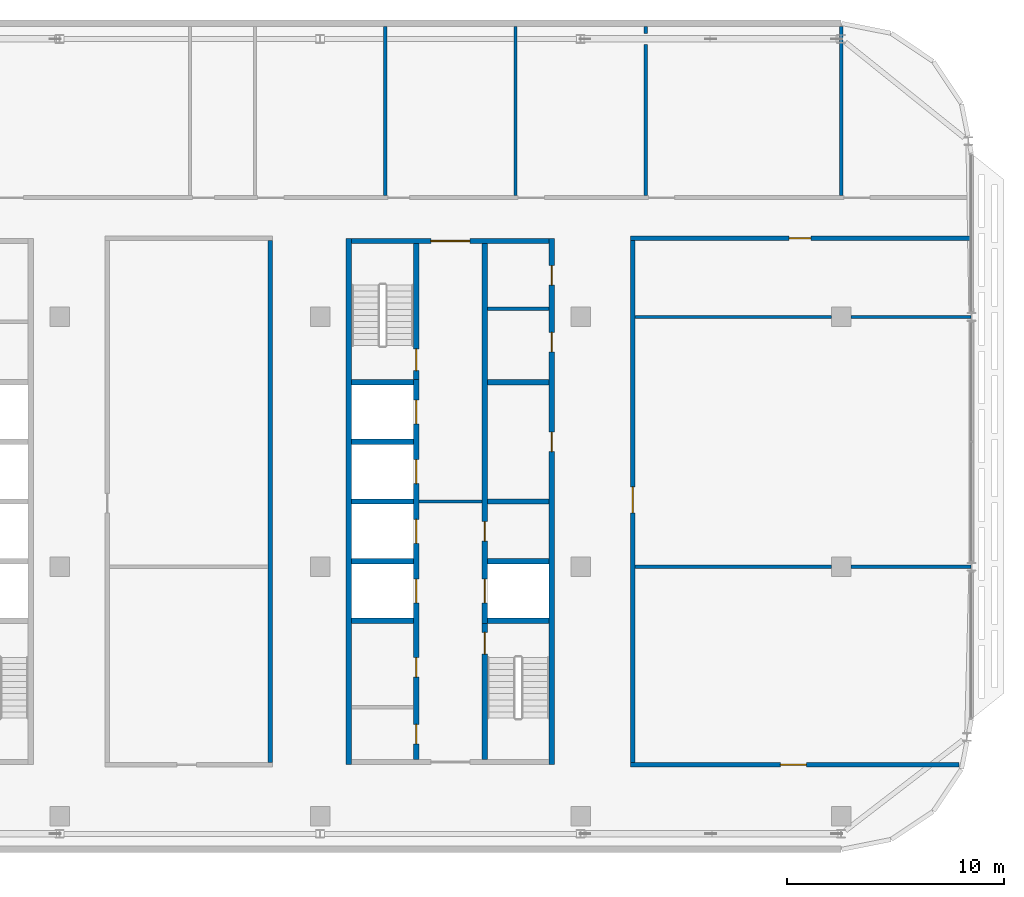
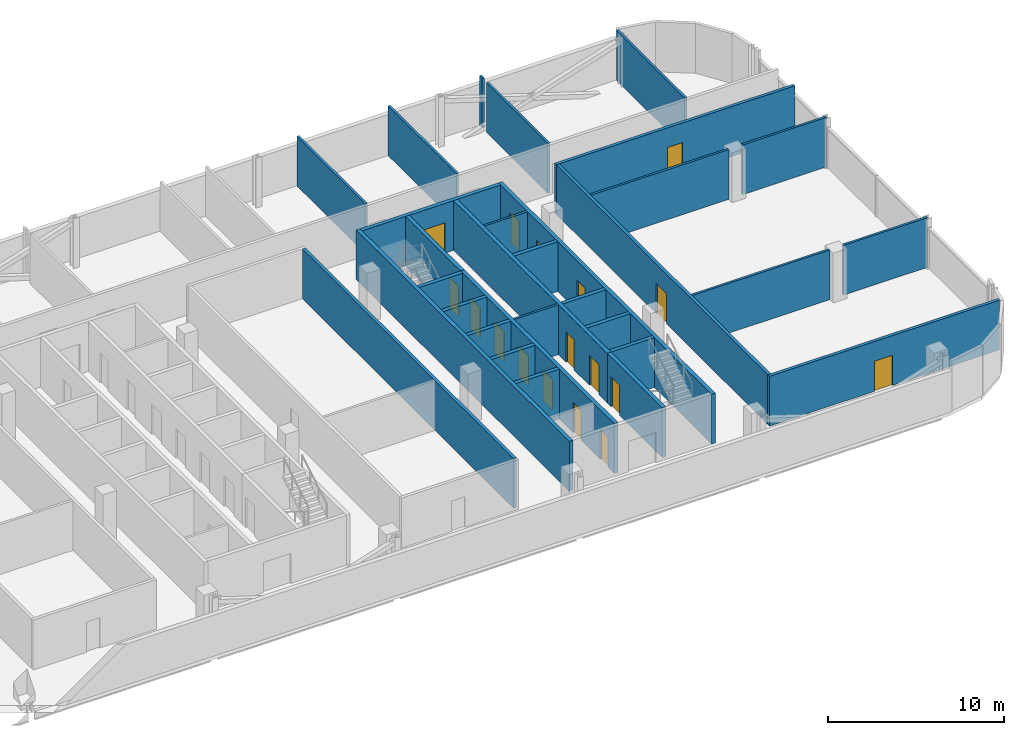
# One storey, part 19 of 29: 31 walls, 17 doors, 17 openings.
"""IFC4 building model written with IfcOpenShell, lengths in metres."""

from ifc_helpers import new_model, si_unit, direction, frame, frame_2d, origin, place, context, subcontext, project, spatial, rectangle, extrude, material, layer, layer_set, type_object, element, fill, save


model = new_model("IFC4")

# Units and contexts
model_context = context("Model", 3, precision=1e-05, world=origin(), true_north=direction((0.0, 1.0)))
body_context = subcontext(model_context, "Body", "Model", "MODEL_VIEW")
ifc_project = project(units=[si_unit("LENGTHUNIT", "METRE"), si_unit("AREAUNIT", "SQUARE_METRE"), si_unit("VOLUMEUNIT", "CUBIC_METRE"), si_unit("PLANEANGLEUNIT", "RADIAN"), si_unit("MASSUNIT", "GRAM", prefix="KILO")], contexts=[model_context])

# Site, building, storey
site_placement = place(None, origin())
site = spatial("IfcSite", under=ifc_project, at=site_placement, CompositionType="ELEMENT")
building_placement = place(site_placement, origin())
building = spatial("IfcBuilding", under=site, at=building_placement, Name="Mahtab Terrace Research Tower", CompositionType="ELEMENT")
storey_placement = place(building_placement, frame((0.0, 0.0, 274.699951171875)))
storey = spatial("IfcBuildingStorey", under=building, at=storey_placement, Name="L67", CompositionType="ELEMENT", Elevation=274.699951171875)

# Walls
ifc_material_1 = material(Name="Gypsum board partition")
ifc_layer_1 = layer(ifc_material_1, 0.14990234375)
ifc_layer_set_1 = layer_set([ifc_layer_1], Name="Core partition 150")
wall_type_1 = type_object("IfcWallType", Name="Core partition 150", PredefinedType="PARTITIONING", material=ifc_layer_set_1)
wall_1_placement = place(storey_placement, frame((22.550048828125, 3.0, 0.0), z_axis=(0.0, 0.0, 1.0), x_axis=(1.0, 0.0, 0.0)))
element("IfcWall", 1, at=wall_1_placement, inside=storey, type_object=wall_type_1, Name="Core wall C ffl", PredefinedType="PARTITIONING", context=body_context, shape_type="SweptSolid", body=[
    extrude(rectangle(XDim=2.89990234375, YDim=0.14990234375, at=frame_2d((1.449951171875, 0.0))), origin(), (0.0, 0.0, 1.0), 3.4599609375),
])
wall_2_placement = place(storey_placement, frame((25.699951171875, 11.875, 0.0), z_axis=(0.0, 0.0, 1.0), x_axis=(1.0, 0.0, 0.0)))
element("IfcWall", 2, at=wall_2_placement, inside=storey, type_object=wall_type_1, Name="Core wall C pEN888", PredefinedType="PARTITIONING", context=body_context, shape_type="SweptSolid", body=[
    extrude(rectangle(XDim=2.85009765625, YDim=0.14990234375, at=frame_2d((1.425048828125, 0.0))), origin(), (0.0, 0.0, 1.0), 3.4599609375),
])
ifc_material_2 = material(Name="Concrete C70/85", Category="concrete")
ifc_layer_2 = layer(ifc_material_2, 0.25)
ifc_layer_set_2 = layer_set([ifc_layer_2], Name="Core wall 250")
wall_type_2 = type_object("IfcWallType", Name="Core wall 250", PredefinedType="SOLIDWALL", material=ifc_layer_set_2)
wall_3_placement = place(storey_placement, frame((19.324951171875, 15.125, 0.0), z_axis=(0.0, 0.0, 1.0), x_axis=(0.0, -1.0, 0.0)))
element("IfcWall", 3, at=wall_3_placement, inside=storey, type_object=wall_type_2, Name="Core wall C outerW", PredefinedType="SOLIDWALL", context=body_context, shape_type="SweptSolid", body=[
    extrude(rectangle(XDim=24.25, YDim=0.25, at=frame_2d((12.125, 0.0))), origin(), (0.0, 0.0, 1.0), 3.4599609375),
])

# Wall, openings, doors
wall_4_placement = place(storey_placement, frame((28.675048828125, -9.125, 0.0), z_axis=(0.0, 0.0, 1.0), x_axis=(0.0, 1.0, 0.0)))
wall_4 = element("IfcWall", 4, at=wall_4_placement, inside=storey, type_object=wall_type_2, Name="Core wall C outerE", PredefinedType="SOLIDWALL", context=body_context, shape_type="SweptSolid", body=[
    extrude(rectangle(XDim=24.25, YDim=0.25, at=frame_2d((12.125, 0.0))), origin(), (0.0, 0.0, 1.0), 3.4599609375),
])
opening_1_placement = place(wall_4_placement, frame((14.425048828125, 0.0, 0.0)))
opening_1 = element("IfcOpeningElement", 5, at=opening_1_placement, cuts=wall_4, Name="Opening C-R2", PredefinedType="OPENING", context=body_context, shape_type="SweptSolid", body=[
    extrude(rectangle(XDim=0.89990234375, YDim=2.10009765625, at=frame_2d((0.449951171875, 1.050048828125))), frame((0.0, 0.135009765625, 0.0), z_axis=(0.0, -1.0, 0.0), x_axis=(1.0, 0.0, 0.0)), (0.0, 0.0, 1.0), 0.27001953125),
])
opening_2_placement = place(wall_4_placement, frame((19.012451171875, 0.0, 0.0)))
opening_2 = element("IfcOpeningElement", 6, at=opening_2_placement, cuts=wall_4, Name="Opening C-R5", PredefinedType="OPENING", context=body_context, shape_type="SweptSolid", body=[
    extrude(rectangle(XDim=0.89990234375, YDim=2.10009765625, at=frame_2d((0.449951171875, 1.050048828125))), frame((0.0, 0.135009765625, 0.0), z_axis=(0.0, -1.0, 0.0), x_axis=(1.0, 0.0, 0.0)), (0.0, 0.0, 1.0), 0.27001953125),
])
opening_3_placement = place(wall_4_placement, frame((22.08740234375, 0.0, 0.0)))
opening_3 = element("IfcOpeningElement", 7, at=opening_3_placement, cuts=wall_4, Name="Opening C-R6", PredefinedType="OPENING", context=body_context, shape_type="SweptSolid", body=[
    extrude(rectangle(XDim=0.89990234375, YDim=2.10009765625, at=frame_2d((0.449951171875, 1.050048828125))), frame((0.0, 0.135009765625, 0.0), z_axis=(0.0, -1.0, 0.0), x_axis=(1.0, 0.0, 0.0)), (0.0, 0.0, 1.0), 0.27001953125),
])
ifc_material_3 = material(Name="Steel fire door", Category="steel")
door_type_1 = type_object("IfcDoorType", Name="Room door 900x2100 1 HR", OperationType="NOTDEFINED", PredefinedType="DOOR", material=ifc_material_3)
door_1_placement = place(opening_1_placement, origin())
door_1 = element("IfcDoor", 8, at=door_1_placement, inside=storey, type_object=door_type_1, Name="Plant room door", OperationType="SINGLE_SWING_RIGHT", OverallHeight=2.10009765625, OverallWidth=0.89990234375, PredefinedType="DOOR", context=body_context, shape_type="SweptSolid", body=[
    extrude(rectangle(XDim=0.89990234375, YDim=2.10009765625, at=frame_2d((0.449951171875, 1.050048828125))), frame((0.0, 0.02490234375, 0.0), z_axis=(0.0, -1.0, 0.0), x_axis=(1.0, 0.0, 0.0)), (0.0, 0.0, 1.0), 0.050048828125),
])
fill(opening_1, door_1)
door_2_placement = place(opening_2_placement, origin())
door_2 = element("IfcDoor", 9, at=door_2_placement, inside=storey, type_object=door_type_1, Name="Housekeeping store door", OperationType="SINGLE_SWING_LEFT", OverallHeight=2.10009765625, OverallWidth=0.89990234375, PredefinedType="DOOR", context=body_context, shape_type="SweptSolid", body=[
    extrude(rectangle(XDim=0.89990234375, YDim=2.10009765625, at=frame_2d((0.449951171875, 1.050048828125))), frame((0.0, 0.02490234375, 0.0), z_axis=(0.0, -1.0, 0.0), x_axis=(1.0, 0.0, 0.0)), (0.0, 0.0, 1.0), 0.050048828125),
])
fill(opening_2, door_2)
door_3_placement = place(opening_3_placement, origin())
door_3 = element("IfcDoor", 10, at=door_3_placement, inside=storey, type_object=door_type_1, Name="Electrical riser room door", OperationType="SINGLE_SWING_RIGHT", OverallHeight=2.10009765625, OverallWidth=0.89990234375, PredefinedType="DOOR", context=body_context, shape_type="SweptSolid", body=[
    extrude(rectangle(XDim=0.89990234375, YDim=2.10009765625, at=frame_2d((0.449951171875, 1.050048828125))), frame((0.0, 0.02490234375, 0.0), z_axis=(0.0, -1.0, 0.0), x_axis=(1.0, 0.0, 0.0)), (0.0, 0.0, 1.0), 0.050048828125),
])
fill(opening_3, door_3)

# Wall, opening, door
wall_5_placement = place(storey_placement, frame((19.449951171875, 15.0, 0.0), z_axis=(0.0, 0.0, 1.0), x_axis=(1.0, 0.0, 0.0)))
wall_5 = element("IfcWall", 11, at=wall_5_placement, inside=storey, type_object=wall_type_2, Name="Core wall C endN", PredefinedType="SOLIDWALL", context=body_context, shape_type="SweptSolid", body=[
    extrude(rectangle(XDim=9.10009765625, YDim=0.25, at=frame_2d((4.550048828125, 0.0))), origin(), (0.0, 0.0, 1.0), 3.4599609375),
])
opening_4_placement = place(wall_5_placement, frame((3.64990234375, 0.0, 0.0)))
opening_4 = element("IfcOpeningElement", 12, at=opening_4_placement, cuts=wall_5, Name="Opening C-N1", PredefinedType="OPENING", context=body_context, shape_type="SweptSolid", body=[
    extrude(rectangle(XDim=1.800048828125, YDim=2.10009765625, at=frame_2d((0.89990234375, 1.050048828125))), frame((0.0, 0.135009765625, 0.0), z_axis=(0.0, -1.0, 0.0), x_axis=(1.0, 0.0, 0.0)), (0.0, 0.0, 1.0), 0.27001953125),
])
door_type_2 = type_object("IfcDoorType", Name="Lobby double door 1800x2100 1 HR", OperationType="DOUBLE_DOOR_SINGLE_SWING", PredefinedType="DOOR", material=ifc_material_3)
door_4_placement = place(opening_4_placement, origin())
door_4 = element("IfcDoor", 13, at=door_4_placement, inside=storey, type_object=door_type_2, Name="Core entrance door C N", OperationType="DOUBLE_DOOR_SINGLE_SWING", OverallHeight=2.10009765625, OverallWidth=1.800048828125, PredefinedType="DOOR", context=body_context, shape_type="SweptSolid", body=[
    extrude(rectangle(XDim=1.800048828125, YDim=2.10009765625, at=frame_2d((0.89990234375, 1.050048828125))), frame((0.0, 0.02490234375, 0.0), z_axis=(0.0, -1.0, 0.0), x_axis=(1.0, 0.0, 0.0)), (0.0, 0.0, 1.0), 0.050048828125),
])
fill(opening_4, door_4)

# Wall, openings, doors
wall_6_placement = place(storey_placement, frame((22.425048828125, -8.875, 0.0), z_axis=(0.0, 0.0, 1.0), x_axis=(0.0, 1.0, 0.0)))
wall_6 = element("IfcWall", 14, at=wall_6_placement, inside=storey, type_object=wall_type_2, Name="Core wall C innerWSL", PredefinedType="SOLIDWALL", context=body_context, shape_type="SweptSolid", body=[
    extrude(rectangle(XDim=17.5, YDim=0.25, at=frame_2d((8.75, 0.0))), origin(), (0.0, 0.0, 1.0), 3.4599609375),
])
opening_5_placement = place(wall_6_placement, frame((7.199951171875, 0.0, 0.0)))
opening_5 = element("IfcOpeningElement", 15, at=opening_5_placement, cuts=wall_6, Name="Opening LD17-L67", PredefinedType="OPENING", context=body_context, shape_type="SweptSolid", body=[
    extrude(rectangle(XDim=1.10009765625, YDim=2.10009765625, at=frame_2d((0.550048828125, 1.050048828125))), frame((0.0, 0.135009765625, 0.0), z_axis=(0.0, -1.0, 0.0), x_axis=(1.0, 0.0, 0.0)), (0.0, 0.0, 1.0), 0.27001953125),
])
opening_6_placement = place(wall_6_placement, frame((9.949951171875, 0.0, 0.0)))
opening_6 = element("IfcOpeningElement", 16, at=opening_6_placement, cuts=wall_6, Name="Opening LD18-L67", PredefinedType="OPENING", context=body_context, shape_type="SweptSolid", body=[
    extrude(rectangle(XDim=1.10009765625, YDim=2.10009765625, at=frame_2d((0.550048828125, 1.050048828125))), frame((0.0, 0.135009765625, 0.0), z_axis=(0.0, -1.0, 0.0), x_axis=(1.0, 0.0, 0.0)), (0.0, 0.0, 1.0), 0.27001953125),
])
opening_7_placement = place(wall_6_placement, frame((12.699951171875, 0.0, 0.0)))
opening_7 = element("IfcOpeningElement", 17, at=opening_7_placement, cuts=wall_6, Name="Opening LD19-L67", PredefinedType="OPENING", context=body_context, shape_type="SweptSolid", body=[
    extrude(rectangle(XDim=1.10009765625, YDim=2.10009765625, at=frame_2d((0.550048828125, 1.050048828125))), frame((0.0, 0.135009765625, 0.0), z_axis=(0.0, -1.0, 0.0), x_axis=(1.0, 0.0, 0.0)), (0.0, 0.0, 1.0), 0.27001953125),
])
opening_8_placement = place(wall_6_placement, frame((15.449951171875, 0.0, 0.0)))
opening_8 = element("IfcOpeningElement", 18, at=opening_8_placement, cuts=wall_6, Name="Opening LD20-L67", PredefinedType="OPENING", context=body_context, shape_type="SweptSolid", body=[
    extrude(rectangle(XDim=1.10009765625, YDim=2.10009765625, at=frame_2d((0.550048828125, 1.050048828125))), frame((0.0, 0.135009765625, 0.0), z_axis=(0.0, -1.0, 0.0), x_axis=(1.0, 0.0, 0.0)), (0.0, 0.0, 1.0), 0.27001953125),
])
opening_9_placement = place(wall_6_placement, frame((0.71240234375, 0.0, 0.0)))
opening_9 = element("IfcOpeningElement", 19, at=opening_9_placement, cuts=wall_6, Name="Opening C-R3", PredefinedType="OPENING", context=body_context, shape_type="SweptSolid", body=[
    extrude(rectangle(XDim=0.89990234375, YDim=2.10009765625, at=frame_2d((0.449951171875, 1.050048828125))), frame((0.0, 0.135009765625, 0.0), z_axis=(0.0, -1.0, 0.0), x_axis=(1.0, 0.0, 0.0)), (0.0, 0.0, 1.0), 0.27001953125),
])
opening_10_placement = place(wall_6_placement, frame((3.78759765625, 0.0, 0.0)))
opening_10 = element("IfcOpeningElement", 20, at=opening_10_placement, cuts=wall_6, Name="Opening C-R4", PredefinedType="OPENING", context=body_context, shape_type="SweptSolid", body=[
    extrude(rectangle(XDim=0.89990234375, YDim=2.10009765625, at=frame_2d((0.449951171875, 1.050048828125))), frame((0.0, 0.135009765625, 0.0), z_axis=(0.0, -1.0, 0.0), x_axis=(1.0, 0.0, 0.0)), (0.0, 0.0, 1.0), 0.27001953125),
])
ifc_material_4 = material(Name="Stainless steel AISI 304", Category="steel")
door_type_3 = type_object("IfcDoorType", Name="Landing door 1100x2100", OperationType="DOUBLE_DOOR_SLIDING", PredefinedType="DOOR", material=ifc_material_4)
door_5_placement = place(opening_5_placement, origin())
door_5 = element("IfcDoor", 21, at=door_5_placement, inside=storey, type_object=door_type_3, Name="Landing door SV1 L67", OperationType="DOUBLE_DOOR_SLIDING", OverallHeight=2.10009765625, OverallWidth=1.10009765625, PredefinedType="DOOR", context=body_context, shape_type="SweptSolid", body=[
    extrude(rectangle(XDim=1.10009765625, YDim=2.10009765625, at=frame_2d((0.550048828125, 1.050048828125))), frame((0.0, 0.02490234375, 0.0), z_axis=(0.0, -1.0, 0.0), x_axis=(1.0, 0.0, 0.0)), (0.0, 0.0, 1.0), 0.050048828125),
])
fill(opening_5, door_5)
door_6_placement = place(opening_6_placement, origin())
door_6 = element("IfcDoor", 22, at=door_6_placement, inside=storey, type_object=door_type_3, Name="Landing door SV2 L67", OperationType="DOUBLE_DOOR_SLIDING", OverallHeight=2.10009765625, OverallWidth=1.10009765625, PredefinedType="DOOR", context=body_context, shape_type="SweptSolid", body=[
    extrude(rectangle(XDim=1.10009765625, YDim=2.10009765625, at=frame_2d((0.550048828125, 1.050048828125))), frame((0.0, 0.02490234375, 0.0), z_axis=(0.0, -1.0, 0.0), x_axis=(1.0, 0.0, 0.0)), (0.0, 0.0, 1.0), 0.050048828125),
])
fill(opening_6, door_6)
door_7_placement = place(opening_7_placement, origin())
door_7 = element("IfcDoor", 23, at=door_7_placement, inside=storey, type_object=door_type_3, Name="Landing door FF1 L67", OperationType="DOUBLE_DOOR_SLIDING", OverallHeight=2.10009765625, OverallWidth=1.10009765625, PredefinedType="DOOR", context=body_context, shape_type="SweptSolid", body=[
    extrude(rectangle(XDim=1.10009765625, YDim=2.10009765625, at=frame_2d((0.550048828125, 1.050048828125))), frame((0.0, 0.02490234375, 0.0), z_axis=(0.0, -1.0, 0.0), x_axis=(1.0, 0.0, 0.0)), (0.0, 0.0, 1.0), 0.050048828125),
])
fill(opening_7, door_7)
door_8_placement = place(opening_8_placement, origin())
door_8 = element("IfcDoor", 24, at=door_8_placement, inside=storey, type_object=door_type_3, Name="Landing door FF2 L67", OperationType="DOUBLE_DOOR_SLIDING", OverallHeight=2.10009765625, OverallWidth=1.10009765625, PredefinedType="DOOR", context=body_context, shape_type="SweptSolid", body=[
    extrude(rectangle(XDim=1.10009765625, YDim=2.10009765625, at=frame_2d((0.550048828125, 1.050048828125))), frame((0.0, 0.02490234375, 0.0), z_axis=(0.0, -1.0, 0.0), x_axis=(1.0, 0.0, 0.0)), (0.0, 0.0, 1.0), 0.050048828125),
])
fill(opening_8, door_8)
door_9_placement = place(opening_9_placement, origin())
door_9 = element("IfcDoor", 25, at=door_9_placement, inside=storey, type_object=door_type_1, Name="Accessible WC door", OperationType="SINGLE_SWING_LEFT", OverallHeight=2.10009765625, OverallWidth=0.89990234375, PredefinedType="DOOR", context=body_context, shape_type="SweptSolid", body=[
    extrude(rectangle(XDim=0.89990234375, YDim=2.10009765625, at=frame_2d((0.449951171875, 1.050048828125))), frame((0.0, 0.02490234375, 0.0), z_axis=(0.0, -1.0, 0.0), x_axis=(1.0, 0.0, 0.0)), (0.0, 0.0, 1.0), 0.050048828125),
])
fill(opening_9, door_9)
door_10_placement = place(opening_10_placement, origin())
door_10 = element("IfcDoor", 26, at=door_10_placement, inside=storey, type_object=door_type_1, Name="WC block door", OperationType="SINGLE_SWING_RIGHT", OverallHeight=2.10009765625, OverallWidth=0.89990234375, PredefinedType="DOOR", context=body_context, shape_type="SweptSolid", body=[
    extrude(rectangle(XDim=0.89990234375, YDim=2.10009765625, at=frame_2d((0.449951171875, 1.050048828125))), frame((0.0, 0.02490234375, 0.0), z_axis=(0.0, -1.0, 0.0), x_axis=(1.0, 0.0, 0.0)), (0.0, 0.0, 1.0), 0.050048828125),
])
fill(opening_10, door_10)

# Wall, opening, door
wall_7_placement = place(storey_placement, frame((22.425048828125, 14.875, 0.0), z_axis=(0.0, 0.0, 1.0), x_axis=(0.0, -1.0, 0.0)))
wall_7 = element("IfcWall", 27, at=wall_7_placement, inside=storey, type_object=wall_type_2, Name="Core wall C innerWN", PredefinedType="SOLIDWALL", context=body_context, shape_type="SweptSolid", body=[
    extrude(rectangle(XDim=6.25, YDim=0.25, at=frame_2d((3.125, 0.0))), origin(), (0.0, 0.0, 1.0), 3.4599609375),
])
opening_11_placement = place(wall_7_placement, frame((4.85009765625, 0.0, 0.0)))
opening_11 = element("IfcOpeningElement", 28, at=opening_11_placement, cuts=wall_7, Name="Opening C-ST3", PredefinedType="OPENING", context=body_context, shape_type="SweptSolid", body=[
    extrude(rectangle(XDim=1.0, YDim=2.10009765625, at=frame_2d((0.5, 1.050048828125))), frame((0.0, 0.135009765625, 0.0), z_axis=(0.0, -1.0, 0.0), x_axis=(1.0, 0.0, 0.0)), (0.0, 0.0, 1.0), 0.27001953125),
])
door_type_4 = type_object("IfcDoorType", Name="Stair door 1000x2100 1.5 HR", OperationType="NOTDEFINED", PredefinedType="DOOR", material=ifc_material_3)
door_11_placement = place(opening_11_placement, origin())
door_11 = element("IfcDoor", 29, at=door_11_placement, inside=storey, type_object=door_type_4, Name="Stair door ST3 L67", OperationType="SINGLE_SWING_LEFT", OverallHeight=2.10009765625, OverallWidth=1.0, PredefinedType="DOOR", context=body_context, shape_type="SweptSolid", body=[
    extrude(rectangle(XDim=1.0, YDim=2.10009765625, at=frame_2d((0.5, 1.050048828125))), frame((0.0, 0.02490234375, 0.0), z_axis=(0.0, -1.0, 0.0), x_axis=(1.0, 0.0, 0.0)), (0.0, 0.0, 1.0), 0.050048828125),
])
fill(opening_11, door_11)

wall_8_placement = place(storey_placement, frame((25.574951171875, -8.875, 0.0), z_axis=(0.0, 0.0, 1.0), x_axis=(0.0, 1.0, 0.0)))
wall_8 = element("IfcWall", 30, at=wall_8_placement, inside=storey, type_object=wall_type_2, Name="Core wall C innerES", PredefinedType="SOLIDWALL", context=body_context, shape_type="SweptSolid", body=[
    extrude(rectangle(XDim=6.25, YDim=0.25, at=frame_2d((3.125, 0.0))), origin(), (0.0, 0.0, 1.0), 3.4599609375),
])
opening_12_placement = place(wall_8_placement, frame((4.85009765625, 0.0, 0.0)))
opening_12 = element("IfcOpeningElement", 31, at=opening_12_placement, cuts=wall_8, Name="Opening C-ST4", PredefinedType="OPENING", context=body_context, shape_type="SweptSolid", body=[
    extrude(rectangle(XDim=1.0, YDim=2.10009765625, at=frame_2d((0.5, 1.050048828125))), frame((0.0, 0.135009765625, 0.0), z_axis=(0.0, -1.0, 0.0), x_axis=(1.0, 0.0, 0.0)), (0.0, 0.0, 1.0), 0.27001953125),
])
door_12_placement = place(opening_12_placement, origin())
door_12 = element("IfcDoor", 32, at=door_12_placement, inside=storey, type_object=door_type_4, Name="Stair door ST4 L67", OperationType="SINGLE_SWING_RIGHT", OverallHeight=2.10009765625, OverallWidth=1.0, PredefinedType="DOOR", context=body_context, shape_type="SweptSolid", body=[
    extrude(rectangle(XDim=1.0, YDim=2.10009765625, at=frame_2d((0.5, 1.050048828125))), frame((0.0, 0.02490234375, 0.0), z_axis=(0.0, -1.0, 0.0), x_axis=(1.0, 0.0, 0.0)), (0.0, 0.0, 1.0), 0.050048828125),
])
fill(opening_12, door_12)

# Wall, openings, doors
wall_9_placement = place(storey_placement, frame((25.574951171875, 14.875, 0.0), z_axis=(0.0, 0.0, 1.0), x_axis=(0.0, -1.0, 0.0)))
wall_9 = element("IfcWall", 33, at=wall_9_placement, inside=storey, type_object=wall_type_2, Name="Core wall C innerELN", PredefinedType="SOLIDWALL", context=body_context, shape_type="SweptSolid", body=[
    extrude(rectangle(XDim=17.5, YDim=0.25, at=frame_2d((8.75, 0.0))), origin(), (0.0, 0.0, 1.0), 3.4599609375),
])
opening_13_placement = place(wall_9_placement, frame((15.449951171875, 0.0, 0.0)))
opening_13 = element("IfcOpeningElement", 34, at=opening_13_placement, cuts=wall_9, Name="Opening LD21-L67", PredefinedType="OPENING", context=body_context, shape_type="SweptSolid", body=[
    extrude(rectangle(XDim=1.10009765625, YDim=2.10009765625, at=frame_2d((0.550048828125, 1.050048828125))), frame((0.0, 0.135009765625, 0.0), z_axis=(0.0, -1.0, 0.0), x_axis=(1.0, 0.0, 0.0)), (0.0, 0.0, 1.0), 0.27001953125),
])
opening_14_placement = place(wall_9_placement, frame((12.800048828125, 0.0, 0.0)))
opening_14 = element("IfcOpeningElement", 35, at=opening_14_placement, cuts=wall_9, Name="Opening C-R1", PredefinedType="OPENING", context=body_context, shape_type="SweptSolid", body=[
    extrude(rectangle(XDim=0.89990234375, YDim=2.10009765625, at=frame_2d((0.449951171875, 1.050048828125))), frame((0.0, 0.135009765625, 0.0), z_axis=(0.0, -1.0, 0.0), x_axis=(1.0, 0.0, 0.0)), (0.0, 0.0, 1.0), 0.27001953125),
])
door_13_placement = place(opening_13_placement, origin())
door_13 = element("IfcDoor", 36, at=door_13_placement, inside=storey, type_object=door_type_3, Name="Landing door SV3 L67", OperationType="DOUBLE_DOOR_SLIDING", OverallHeight=2.10009765625, OverallWidth=1.10009765625, PredefinedType="DOOR", context=body_context, shape_type="SweptSolid", body=[
    extrude(rectangle(XDim=1.10009765625, YDim=2.10009765625, at=frame_2d((0.550048828125, 1.050048828125))), frame((0.0, 0.02490234375, 0.0), z_axis=(0.0, -1.0, 0.0), x_axis=(1.0, 0.0, 0.0)), (0.0, 0.0, 1.0), 0.050048828125),
])
fill(opening_13, door_13)
door_14_placement = place(opening_14_placement, origin())
door_14 = element("IfcDoor", 37, at=door_14_placement, inside=storey, type_object=door_type_1, Name="Plant room door", OperationType="SINGLE_SWING_LEFT", OverallHeight=2.10009765625, OverallWidth=0.89990234375, PredefinedType="DOOR", context=body_context, shape_type="SweptSolid", body=[
    extrude(rectangle(XDim=0.89990234375, YDim=2.10009765625, at=frame_2d((0.449951171875, 1.050048828125))), frame((0.0, 0.02490234375, 0.0), z_axis=(0.0, -1.0, 0.0), x_axis=(1.0, 0.0, 0.0)), (0.0, 0.0, 1.0), 0.050048828125),
])
fill(opening_14, door_14)

# Walls
for number, where, z_axis, x_axis, name in (
    (38, (19.449951171875, -2.5, 0.0), (0.0, 0.0, 1.0), (1.0, 0.0, 0.0), "Core wall C divW0"),
    (39, (19.449951171875, 0.25, 0.0), (0.0, 0.0, 1.0), (1.0, 0.0, 0.0), "Core wall C divW1"),
    (40, (19.449951171875, 3.0, 0.0), (0.0, 0.0, 1.0), (1.0, 0.0, 0.0), "Core wall C divW2"),
    (41, (19.449951171875, 5.75, 0.0), (0.0, 0.0, 1.0), (1.0, 0.0, 0.0), "Core wall C divW3"),
    (42, (19.449951171875, 8.5, 0.0), (0.0, 0.0, 1.0), (1.0, 0.0, 0.0), "Core wall C divW4"),
    (43, (25.699951171875, -2.5, 0.0), (0.0, 0.0, 1.0), (1.0, 0.0, 0.0), "Core wall C divE0"),
    (44, (25.699951171875, 0.25, 0.0), (0.0, 0.0, 1.0), (1.0, 0.0, 0.0), "Core wall C divE1"),
    (45, (25.699951171875, 3.0, 0.0), (0.0, 0.0, 1.0), (1.0, 0.0, 0.0), "Core wall C divE2"),
    (46, (25.699951171875, 8.5, 0.0), (0.0, 0.0, 1.0), (1.0, 0.0, 0.0), "Core wall C divE4"),
):
    element("IfcWall", number, at=place(storey_placement, frame(where, z_axis=z_axis, x_axis=x_axis)), inside=storey, type_object=wall_type_2, Name=name, PredefinedType="SOLIDWALL", context=body_context, shape_type="SweptSolid", body=[
        extrude(rectangle(XDim=2.85009765625, YDim=0.25, at=frame_2d((1.425048828125, 0.0))), origin(), (0.0, 0.0, 1.0), 3.4599609375),
    ])

# Wall, opening, door
ifc_material_5 = material(Name="Gypsum board corridor wall on steel studs", Category="steel")
ifc_layer_3 = layer(ifc_material_5, 0.199951171875)
ifc_layer_set_3 = layer_set([ifc_layer_3], Name="WALL CORRIDOR 200")
wall_type_3 = type_object("IfcWallType", Name="WALL CORRIDOR 200", PredefinedType="PARTITIONING", material=ifc_layer_set_3)
wall_10_placement = place(storey_placement, frame((32.300048828125, -9.125, 0.0), z_axis=(0.0, 0.0, 1.0), x_axis=(1.0, 0.0, 0.0)))
wall_10 = element("IfcWall", 47, at=wall_10_placement, inside=storey, type_object=wall_type_3, Name="L67-W004", PredefinedType="PARTITIONING", context=body_context, shape_type="SweptSolid", body=[
    extrude(rectangle(XDim=15.130126953125, YDim=0.199951171875, at=frame_2d((7.56494140625, 0.0))), origin(), (0.0, 0.0, 1.0), 3.4599609375),
])
opening_15_placement = place(wall_10_placement, frame((6.89990234375, 0.0, 0.0)))
opening_15 = element("IfcOpeningElement", 48, at=opening_15_placement, cuts=wall_10, Name="Opening L67-104", PredefinedType="OPENING", context=body_context, shape_type="SweptSolid", body=[
    extrude(rectangle(XDim=1.199951171875, YDim=2.10009765625, at=frame_2d((0.60009765625, 1.050048828125))), frame((0.0, 0.10986328125, 0.0), z_axis=(0.0, -1.0, 0.0), x_axis=(1.0, 0.0, 0.0)), (0.0, 0.0, 1.0), 0.219970703125),
])
ifc_material_6 = material(Name="Timber door leaf in steel frame", Category="steel")
door_type_5 = type_object("IfcDoorType", Name="DOOR 1200X2100 FD30S", OperationType="SINGLE_SWING_LEFT", PredefinedType="DOOR", material=ifc_material_6)
door_15_placement = place(opening_15_placement, origin())
door_15 = element("IfcDoor", 49, at=door_15_placement, inside=storey, type_object=door_type_5, Name="Door L67-104", OperationType="SINGLE_SWING_LEFT", OverallHeight=2.10009765625, OverallWidth=1.199951171875, PredefinedType="DOOR", context=body_context, shape_type="SweptSolid", body=[
    extrude(rectangle(XDim=1.199951171875, YDim=2.10009765625, at=frame_2d((0.60009765625, 1.050048828125))), frame((0.0, 0.02490234375, 0.0), z_axis=(0.0, -1.0, 0.0), x_axis=(1.0, 0.0, 0.0)), (0.0, 0.0, 1.0), 0.050048828125),
])
fill(opening_15, door_15)

wall_11_placement = place(storey_placement, frame((32.300048828125, 15.125, 0.0), z_axis=(0.0, 0.0, 1.0), x_axis=(1.0, 0.0, 0.0)))
wall_11 = element("IfcWall", 50, at=wall_11_placement, inside=storey, type_object=wall_type_3, Name="L67-W017", PredefinedType="PARTITIONING", context=body_context, shape_type="SweptSolid", body=[
    extrude(rectangle(XDim=15.675048828125, YDim=0.199951171875, at=frame_2d((7.83740234375, 0.0))), origin(), (0.0, 0.0, 1.0), 3.4599609375),
])
opening_16_placement = place(wall_11_placement, frame((7.300048828125, 0.0, 0.0)))
opening_16 = element("IfcOpeningElement", 51, at=opening_16_placement, cuts=wall_11, Name="Opening L67-110", PredefinedType="OPENING", context=body_context, shape_type="SweptSolid", body=[
    extrude(rectangle(XDim=1.0, YDim=2.10009765625, at=frame_2d((0.5, 1.050048828125))), frame((0.0, 0.10986328125, 0.0), z_axis=(0.0, -1.0, 0.0), x_axis=(1.0, 0.0, 0.0)), (0.0, 0.0, 1.0), 0.219970703125),
])
door_type_6 = type_object("IfcDoorType", Name="DOOR 1000X2100 FD30S", OperationType="SINGLE_SWING_LEFT", PredefinedType="DOOR", material=ifc_material_6)
door_16_placement = place(opening_16_placement, origin())
door_16 = element("IfcDoor", 52, at=door_16_placement, inside=storey, type_object=door_type_6, Name="Door L67-110", OperationType="SINGLE_SWING_LEFT", OverallHeight=2.10009765625, OverallWidth=1.0, PredefinedType="DOOR", context=body_context, shape_type="SweptSolid", body=[
    extrude(rectangle(XDim=1.0, YDim=2.10009765625, at=frame_2d((0.5, 1.050048828125))), frame((0.0, 0.02490234375, 0.0), z_axis=(0.0, -1.0, 0.0), x_axis=(1.0, 0.0, 0.0)), (0.0, 0.0, 1.0), 0.050048828125),
])
fill(opening_16, door_16)

# Wall
wall_12_placement = place(storey_placement, frame((15.699951171875, -9.02490234375, 0.0), z_axis=(0.0, 0.0, 1.0), x_axis=(0.0, 1.0, 0.0)))
element("IfcWall", 53, at=wall_12_placement, inside=storey, type_object=wall_type_3, Name="L67-W035", PredefinedType="PARTITIONING", context=body_context, shape_type="SweptSolid", body=[
    extrude(rectangle(XDim=24.0498046875, YDim=0.199951171875, at=frame_2d((12.02490234375, 0.0))), origin(), (0.0, 0.0, 1.0), 3.4599609375),
])

# Wall, opening, door
wall_13_placement = place(storey_placement, frame((32.39990234375, -9.02490234375, 0.0), z_axis=(0.0, 0.0, 1.0), x_axis=(0.0, 1.0, 0.0)))
wall_13 = element("IfcWall", 54, at=wall_13_placement, inside=storey, type_object=wall_type_3, Name="L67-W038", PredefinedType="PARTITIONING", context=body_context, shape_type="SweptSolid", body=[
    extrude(rectangle(XDim=24.0498046875, YDim=0.199951171875, at=frame_2d((12.02490234375, 0.0))), origin(), (0.0, 0.0, 1.0), 3.4599609375),
])
opening_17_placement = place(wall_13_placement, frame((11.5, 0.0, 0.0)))
opening_17 = element("IfcOpeningElement", 55, at=opening_17_placement, cuts=wall_13, Name="Opening L67-106", PredefinedType="OPENING", context=body_context, shape_type="SweptSolid", body=[
    extrude(rectangle(XDim=1.199951171875, YDim=2.10009765625, at=frame_2d((0.60009765625, 1.050048828125))), frame((0.0, 0.10986328125, 0.0), z_axis=(0.0, -1.0, 0.0), x_axis=(1.0, 0.0, 0.0)), (0.0, 0.0, 1.0), 0.219970703125),
])
door_17_placement = place(opening_17_placement, origin())
door_17 = element("IfcDoor", 56, at=door_17_placement, inside=storey, type_object=door_type_5, Name="Door L67-106", OperationType="SINGLE_SWING_LEFT", OverallHeight=2.10009765625, OverallWidth=1.199951171875, PredefinedType="DOOR", context=body_context, shape_type="SweptSolid", body=[
    extrude(rectangle(XDim=1.199951171875, YDim=2.10009765625, at=frame_2d((0.60009765625, 1.050048828125))), frame((0.0, 0.02490234375, 0.0), z_axis=(0.0, -1.0, 0.0), x_axis=(1.0, 0.0, 0.0)), (0.0, 0.0, 1.0), 0.050048828125),
])
fill(opening_17, door_17)

# Walls
ifc_material_7 = material(Name="Gypsum board partition on steel studs", Category="steel")
ifc_layer_4 = layer(ifc_material_7, 0.14990234375)
ifc_layer_set_4 = layer_set([ifc_layer_4], Name="WALL PARTITION 150")
wall_type_4 = type_object("IfcWallType", Name="WALL PARTITION 150", PredefinedType="PARTITIONING", material=ifc_layer_set_4)
wall_14_placement = place(storey_placement, frame((32.5, 0.0, 0.0), z_axis=(0.0, 0.0, 1.0), x_axis=(1.0, 0.0, 0.0)))
element("IfcWall", 57, at=wall_14_placement, inside=storey, type_object=wall_type_4, Name="L67-W009", PredefinedType="PARTITIONING", context=body_context, shape_type="SweptSolid", body=[
    extrude(rectangle(XDim=9.050048828125, YDim=0.14990234375, at=frame_2d((4.52490234375, 0.0))), origin(), (0.0, 0.0, 1.0), 3.4599609375),
])
wall_15_placement = place(storey_placement, frame((42.449951171875, 0.0, 0.0), z_axis=(0.0, 0.0, 1.0), x_axis=(1.0, 0.0, 0.0)))
element("IfcWall", 58, at=wall_15_placement, inside=storey, type_object=wall_type_4, Name="L67-W010", PredefinedType="PARTITIONING", context=body_context, shape_type="SweptSolid", body=[
    extrude(rectangle(XDim=5.525146484375, YDim=0.14990234375, at=frame_2d((2.7626953125, 0.0))), origin(), (0.0, 0.0, 1.0), 3.4599609375),
])
wall_16_placement = place(storey_placement, frame((32.5, 11.5, 0.0), z_axis=(0.0, 0.0, 1.0), x_axis=(1.0, 0.0, 0.0)))
element("IfcWall", 59, at=wall_16_placement, inside=storey, type_object=wall_type_4, Name="L67-W012", PredefinedType="PARTITIONING", context=body_context, shape_type="SweptSolid", body=[
    extrude(rectangle(XDim=9.050048828125, YDim=0.14990234375, at=frame_2d((4.52490234375, 0.0))), origin(), (0.0, 0.0, 1.0), 3.4599609375),
])
wall_17_placement = place(storey_placement, frame((42.449951171875, 11.5, 0.0), z_axis=(0.0, 0.0, 1.0), x_axis=(1.0, 0.0, 0.0)))
element("IfcWall", 60, at=wall_17_placement, inside=storey, type_object=wall_type_4, Name="L67-W013", PredefinedType="PARTITIONING", context=body_context, shape_type="SweptSolid", body=[
    extrude(rectangle(XDim=5.525146484375, YDim=0.14990234375, at=frame_2d((2.7626953125, 0.0))), origin(), (0.0, 0.0, 1.0), 3.4599609375),
])
for number, where, z_axis, x_axis, name in (
    (61, (21.0, 17.10009765625, 0.0), (0.0, 0.0, 1.0), (0.0, 1.0, 0.0), "L67-W036"),
    (62, (27.0, 17.10009765625, 0.0), (0.0, 0.0, 1.0), (0.0, 1.0, 0.0), "L67-W037"),
):
    element("IfcWall", number, at=place(storey_placement, frame(where, z_axis=z_axis, x_axis=x_axis)), inside=storey, type_object=wall_type_4, Name=name, PredefinedType="PARTITIONING", context=body_context, shape_type="SweptSolid", body=[
        extrude(rectangle(XDim=7.77880859375, YDim=0.14990234375, at=frame_2d((3.889404296875, 0.0))), origin(), (0.0, 0.0, 1.0), 3.4599609375),
    ])
wall_18_placement = place(storey_placement, frame((33.0, 17.10009765625, 0.0), z_axis=(0.0, 0.0, 1.0), x_axis=(0.0, 1.0, 0.0)))
element("IfcWall", 63, at=wall_18_placement, inside=storey, type_object=wall_type_4, Name="L67-W039", PredefinedType="PARTITIONING", context=body_context, shape_type="SweptSolid", body=[
    extrude(rectangle(XDim=6.95458984375, YDim=0.14990234375, at=frame_2d((3.477294921875, 0.0))), origin(), (0.0, 0.0, 1.0), 3.4599609375),
])
wall_19_placement = place(storey_placement, frame((33.0, 24.559326171875, 0.0), z_axis=(0.0, 0.0, 1.0), x_axis=(0.0, 1.0, 0.0)))
element("IfcWall", 64, at=wall_19_placement, inside=storey, type_object=wall_type_4, Name="L67-W040", PredefinedType="PARTITIONING", context=body_context, shape_type="SweptSolid", body=[
    extrude(rectangle(XDim=0.319580078125, YDim=0.14990234375, at=frame_2d((0.15966796875, 0.0))), origin(), (0.0, 0.0, 1.0), 3.4599609375),
])
wall_20_placement = place(storey_placement, frame((42.0, 17.10009765625, 0.0), z_axis=(0.0, 0.0, 1.0), x_axis=(0.0, 1.0, 0.0)))
element("IfcWall", 65, at=wall_20_placement, inside=storey, type_object=wall_type_4, Name="L67-W041", PredefinedType="PARTITIONING", context=body_context, shape_type="SweptSolid", body=[
    extrude(rectangle(XDim=7.776123046875, YDim=0.14990234375, at=frame_2d((3.88818359375, 0.0))), origin(), (0.0, 0.0, 1.0), 3.4599609375),
])

save(model, "model.ifc")
